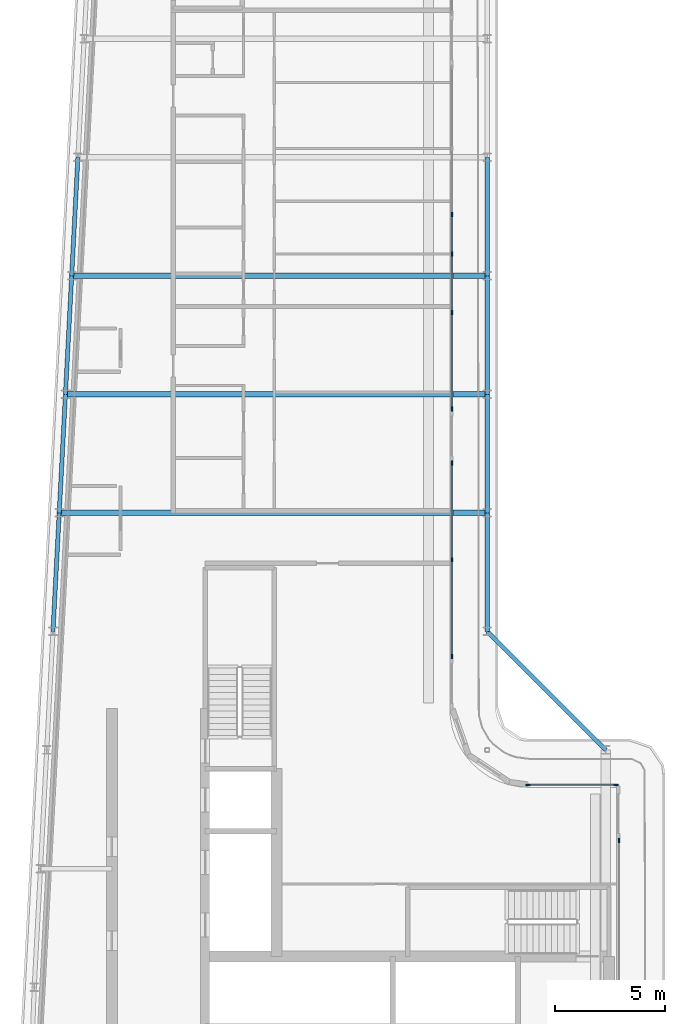
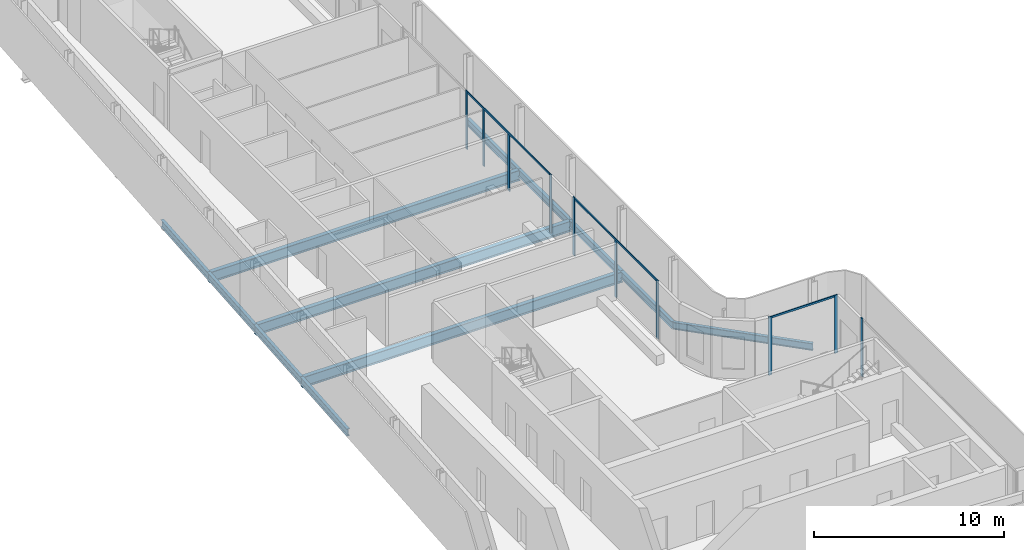
# One storey, part 5 of 19: 13 members, 12 beams, 5 elements without a shape of their own.
"""IFC4 building model written with IfcOpenShell, lengths in metres."""

from ifc_helpers import new_model, si_unit, direction, frame, origin, origin_2d, place, context, subcontext, project, spatial, rectangle, i_section, extrude, material, layer, layer_set, material_profile, profile_set, type_object, element, aggregate, save


model = new_model("IFC4")

# Units and contexts
model_context = context("Model", 3, precision=1e-05, world=origin(), true_north=direction((0.0, 1.0)))
body_context = subcontext(model_context, "Body", "Model", "MODEL_VIEW")
ifc_project = project(units=[si_unit("LENGTHUNIT", "METRE"), si_unit("AREAUNIT", "SQUARE_METRE"), si_unit("VOLUMEUNIT", "CUBIC_METRE"), si_unit("PLANEANGLEUNIT", "RADIAN"), si_unit("MASSUNIT", "GRAM", prefix="KILO")], contexts=[model_context])

# Site, building, storey
site_placement = place(None, origin())
site = spatial("IfcSite", under=ifc_project, at=site_placement, CompositionType="ELEMENT")
building_placement = place(site_placement, origin())
building = spatial("IfcBuilding", under=site, at=building_placement, Name="Kheshtan School and Residences Tower", CompositionType="ELEMENT")
storey_placement = place(building_placement, frame((0.0, 0.0, 353.89990234375)))
storey = spatial("IfcBuildingStorey", under=building, at=storey_placement, Name="L83", CompositionType="ELEMENT", Elevation=353.89990234375)

# Beams
ifc_material_1 = material(Name="Steel ASTM A992 Grade 50", Category="steel")
ifc_material_profile_1 = material_profile(ifc_material_1, i_section(OverallWidth=0.2529296875, OverallDepth=0.677978515625, WebThickness=0.01171875, FlangeThickness=0.016357421875, FilletRadius=0.0146484375, at=origin_2d()), Name="W690x125")
ifc_profile_set_1 = profile_set([ifc_material_profile_1], Name="Steel ASTM A992 Grade 50")
beam_type_1 = type_object("IfcBeamType", Name="Beam FB6 W690x125 ASTM A992 Grade 50", PredefinedType="BEAM", material=ifc_profile_set_1)
beam_1_placement = place(storey_placement, frame((47.60009765625, 67.199951171875, -0.489013671875), z_axis=(-1.0, 0.0, 0.0), x_axis=(0.0, -1.0, 0.0)))
element("IfcBeam", 1, at=beam_1_placement, inside=storey, type_object=beam_type_1, Name="Floor beam C085", PredefinedType="BEAM", context=body_context, shape_type="SweptSolid", body=[
    extrude(i_section(OverallWidth=0.2529296875, OverallDepth=0.677978515625, WebThickness=0.01171875, FlangeThickness=0.016357421875, FilletRadius=0.0146484375, at=origin_2d()), origin(), (0.0, 0.0, 1.0), 18.926025390625),
])
beam_2_placement = place(storey_placement, frame((47.60009765625, 56.39990234375, -0.489013671875), z_axis=(-1.0, 0.0, 0.0), x_axis=(0.0, -1.0, 0.0)))
element("IfcBeam", 2, at=beam_2_placement, inside=storey, type_object=beam_type_1, Name="Floor beam C081", PredefinedType="BEAM", context=body_context, shape_type="SweptSolid", body=[
    extrude(i_section(OverallWidth=0.2529296875, OverallDepth=0.677978515625, WebThickness=0.01171875, FlangeThickness=0.016357421875, FilletRadius=0.0146484375, at=origin_2d()), origin(), (0.0, 0.0, 1.0), 19.494140625),
])
beam_3_placement = place(storey_placement, frame((28.389892578125, 61.800048828125, -0.489013671875), z_axis=(1.0, 0.0, 0.0), x_axis=(0.0, 1.0, 0.0)))
element("IfcBeam", 3, at=beam_3_placement, inside=storey, type_object=beam_type_1, Name="Floor beam C082", PredefinedType="BEAM", context=body_context, shape_type="SweptSolid", body=[
    extrude(i_section(OverallWidth=0.2529296875, OverallDepth=0.677978515625, WebThickness=0.01171875, FlangeThickness=0.016357421875, FilletRadius=0.0146484375, at=origin_2d()), origin(), (0.0, 0.0, 1.0), 19.210205078125),
])
ifc_material_profile_2 = material_profile(ifc_material_1, i_section(OverallWidth=0.18994140625, OverallDepth=0.45703125, WebThickness=0.009033203125, FlangeThickness=0.014404296875, FilletRadius=0.01318359375, at=origin_2d()), Name="W460x74")
ifc_profile_set_2 = profile_set([ifc_material_profile_2], Name="Steel ASTM A992 Grade 50")
beam_type_2 = type_object("IfcBeamType", Name="Beam SP4 W460x74 ASTM A992 Grade 50", PredefinedType="BEAM", material=ifc_profile_set_2)
beam_4_placement = place(storey_placement, frame((47.60009765625, 72.60009765625, -0.37841796875), z_axis=(0.0, -1.0, 0.0), x_axis=(1.0, 0.0, 0.0)))
element("IfcBeam", 4, at=beam_4_placement, inside=storey, type_object=beam_type_2, Name="Spandrel beam C087-C085", PredefinedType="BEAM", context=body_context, shape_type="SweptSolid", body=[
    extrude(i_section(OverallWidth=0.18994140625, OverallDepth=0.45703125, WebThickness=0.009033203125, FlangeThickness=0.014404296875, FilletRadius=0.01318359375, at=origin_2d()), origin(), (0.0, 0.0, 1.0), 5.400146484375),
])
beam_5_placement = place(storey_placement, frame((47.60009765625, 67.199951171875, -0.37841796875), z_axis=(0.0, -1.0, 0.0), x_axis=(1.0, 0.0, 0.0)))
element("IfcBeam", 5, at=beam_5_placement, inside=storey, type_object=beam_type_2, Name="Spandrel beam C085-C083", PredefinedType="BEAM", context=body_context, shape_type="SweptSolid", body=[
    extrude(i_section(OverallWidth=0.18994140625, OverallDepth=0.45703125, WebThickness=0.009033203125, FlangeThickness=0.014404296875, FilletRadius=0.01318359375, at=origin_2d()), origin(), (0.0, 0.0, 1.0), 5.39990234375),
])
beam_6_placement = place(storey_placement, frame((47.60009765625, 61.800048828125, -0.37841796875), z_axis=(0.0, -1.0, 0.0), x_axis=(1.0, 0.0, 0.0)))
element("IfcBeam", 6, at=beam_6_placement, inside=storey, type_object=beam_type_2, Name="Spandrel beam C083-C081", PredefinedType="BEAM", context=body_context, shape_type="SweptSolid", body=[
    extrude(i_section(OverallWidth=0.18994140625, OverallDepth=0.45703125, WebThickness=0.009033203125, FlangeThickness=0.014404296875, FilletRadius=0.01318359375, at=origin_2d()), origin(), (0.0, 0.0, 1.0), 5.400146484375),
])
beam_7_placement = place(storey_placement, frame((47.60009765625, 56.39990234375, -0.37841796875), z_axis=(0.0, -1.0, 0.0), x_axis=(1.0, 0.0, 0.0)))
element("IfcBeam", 7, at=beam_7_placement, inside=storey, type_object=beam_type_2, Name="Spandrel beam C081-C079", PredefinedType="BEAM", context=body_context, shape_type="SweptSolid", body=[
    extrude(i_section(OverallWidth=0.18994140625, OverallDepth=0.45703125, WebThickness=0.009033203125, FlangeThickness=0.014404296875, FilletRadius=0.01318359375, at=origin_2d()), origin(), (0.0, 0.0, 1.0), 5.39990234375),
])
beam_8_placement = place(storey_placement, frame((47.60009765625, 51.0, -0.37841796875), z_axis=(0.707106781187, -0.707106781187, 0.0), x_axis=(0.707106781187, 0.707106781187, 0.0)))
element("IfcBeam", 8, at=beam_8_placement, inside=storey, type_object=beam_type_2, Name="Spandrel beam C079-C061", PredefinedType="BEAM", context=body_context, shape_type="SweptSolid", body=[
    extrude(i_section(OverallWidth=0.18994140625, OverallDepth=0.45703125, WebThickness=0.009033203125, FlangeThickness=0.014404296875, FilletRadius=0.01318359375, at=origin_2d()), origin(), (0.0, 0.0, 1.0), 7.63671875),
])
beam_9_placement = place(storey_placement, frame((27.822021484375, 51.0, -0.37841796875), z_axis=(0.05250906864, 0.998620447272, 0.0), x_axis=(-0.998620447272, 0.05250906864, 0.0)))
element("IfcBeam", 9, at=beam_9_placement, inside=storey, type_object=beam_type_2, Name="Spandrel beam C078-C080", PredefinedType="BEAM", context=body_context, shape_type="SweptSolid", body=[
    extrude(i_section(OverallWidth=0.18994140625, OverallDepth=0.45703125, WebThickness=0.009033203125, FlangeThickness=0.014404296875, FilletRadius=0.01318359375, at=origin_2d()), origin(), (0.0, 0.0, 1.0), 5.407470703125),
])
beam_10_placement = place(storey_placement, frame((28.10595703125, 56.39990234375, -0.37841796875), z_axis=(0.05250670125, 0.998620571751, 0.0), x_axis=(-0.998620571751, 0.05250670125, 0.0)))
element("IfcBeam", 10, at=beam_10_placement, inside=storey, type_object=beam_type_2, Name="Spandrel beam C080-C082", PredefinedType="BEAM", context=body_context, shape_type="SweptSolid", body=[
    extrude(i_section(OverallWidth=0.18994140625, OverallDepth=0.45703125, WebThickness=0.009033203125, FlangeThickness=0.014404296875, FilletRadius=0.01318359375, at=origin_2d()), origin(), (0.0, 0.0, 1.0), 5.40771484375),
])
beam_11_placement = place(storey_placement, frame((28.389892578125, 61.800048828125, -0.37841796875), z_axis=(0.052554093665, 0.998618078766, 0.0), x_axis=(-0.998618078766, 0.052554093665, 0.0)))
element("IfcBeam", 11, at=beam_11_placement, inside=storey, type_object=beam_type_2, Name="Spandrel beam C082-C084", PredefinedType="BEAM", context=body_context, shape_type="SweptSolid", body=[
    extrude(i_section(OverallWidth=0.18994140625, OverallDepth=0.45703125, WebThickness=0.009033203125, FlangeThickness=0.014404296875, FilletRadius=0.01318359375, at=origin_2d()), origin(), (0.0, 0.0, 1.0), 5.407470703125),
])
beam_12_placement = place(storey_placement, frame((28.674072265625, 67.199951171875, -0.37841796875), z_axis=(0.05250670125, 0.998620571751, 0.0), x_axis=(-0.998620571751, 0.05250670125, 0.0)))
element("IfcBeam", 12, at=beam_12_placement, inside=storey, type_object=beam_type_2, Name="Spandrel beam C084-C086", PredefinedType="BEAM", context=body_context, shape_type="SweptSolid", body=[
    extrude(i_section(OverallWidth=0.18994140625, OverallDepth=0.45703125, WebThickness=0.009033203125, FlangeThickness=0.014404296875, FilletRadius=0.01318359375, at=origin_2d()), origin(), (0.0, 0.0, 1.0), 5.40771484375),
])

# Curtain wall, members
ifc_material_2 = material(Name="Clear low-e glass in thermally broken aluminium frame", Category="aluminium")
ifc_layer_1 = layer(ifc_material_2, 0.199951171875)
ifc_layer_set_1 = layer_set([ifc_layer_1], Name="Curtain wall CW-B")
curtain_wall_type_1 = type_object("IfcCurtainWallType", Name="Curtain wall CW-B", PredefinedType="NOTDEFINED", material=ifc_layer_set_1)
curtain_wall_1_placement = place(storey_placement, origin())
curtain_wall_1 = element("IfcCurtainWall", 13, at=curtain_wall_1_placement, inside=storey, type_object=curtain_wall_type_1, Name="Curtain wall CWB8", PredefinedType="NOTDEFINED")
ifc_material_3 = material(Name="Thermally broken aluminium, dark bronze anodised", Category="aluminium")
ifc_material_profile_3 = material_profile(ifc_material_3, rectangle(XDim=0.06005859375, YDim=0.199951171875, at=origin_2d()), Name="CW-B mullion 60x200")
ifc_profile_set_3 = profile_set([ifc_material_profile_3], Name="Thermally broken aluminium, dark bronze anodised")
member_type_1 = type_object("IfcMemberType", Name="CW-B mullion 60x200", PredefinedType="MULLION", material=ifc_profile_set_3)
member_1_placement = place(storey_placement, frame((49.4599609375, 44.0, 0.0), z_axis=(0.0, 0.0, 1.0), x_axis=(0.0, 1.0, 0.0)))
member_1 = element("IfcMember", 14, at=member_1_placement, type_object=member_type_1, Name="CWB8 mullion 1", PredefinedType="MULLION", context=body_context, shape_type="SweptSolid", body=[
    extrude(rectangle(XDim=0.06005859375, YDim=0.199951171875, at=origin_2d()), origin(), (0.0, 0.0, 1.0), 3.75),
])
member_2_placement = place(storey_placement, frame((53.469970703125, 44.0, 0.0), z_axis=(0.0, 0.0, 1.0), x_axis=(0.0, 1.0, 0.0)))
member_2 = element("IfcMember", 15, at=member_2_placement, type_object=member_type_1, Name="CWB8 mullion 2", PredefinedType="MULLION", context=body_context, shape_type="SweptSolid", body=[
    extrude(rectangle(XDim=0.06005859375, YDim=0.199951171875, at=origin_2d()), origin(), (0.0, 0.0, 1.0), 3.75),
])
ifc_material_profile_4 = material_profile(ifc_material_3, rectangle(XDim=0.06005859375, YDim=0.1201171875, at=origin_2d()), Name="CW-B transom 60x120")
ifc_profile_set_4 = profile_set([ifc_material_profile_4], Name="Thermally broken aluminium, dark bronze anodised")
member_type_2 = type_object("IfcMemberType", Name="CW-B transom 60x120", PredefinedType="USERDEFINED", material=ifc_profile_set_4)
member_3_placement = place(storey_placement, frame((49.489990234375, 44.0, 3.690185546875), z_axis=(1.0, 0.0, 0.0), x_axis=(0.0, 1.0, 0.0)))
member_3 = element("IfcMember", 16, at=member_3_placement, type_object=member_type_2, Name="CWB8 transom 1", ObjectType="TRANSOM", PredefinedType="USERDEFINED", context=body_context, shape_type="SweptSolid", body=[
    extrude(rectangle(XDim=0.06005859375, YDim=0.1201171875, at=origin_2d()), origin(), (0.0, 0.0, 1.0), 3.949951171875),
])
aggregate(curtain_wall_1, [member_1, member_2, member_3])

# Curtain wall, member
ifc_layer_2 = layer(ifc_material_2, 0.199951171875)
ifc_layer_set_2 = layer_set([ifc_layer_2], Name="Curtain wall CW-L")
curtain_wall_type_2 = type_object("IfcCurtainWallType", Name="Curtain wall CW-L", PredefinedType="NOTDEFINED", material=ifc_layer_set_2)
curtain_wall_2_placement = place(storey_placement, origin())
curtain_wall_2 = element("IfcCurtainWall", 17, at=curtain_wall_2_placement, inside=storey, type_object=curtain_wall_type_2, Name="Curtain wall CWL4l", PredefinedType="NOTDEFINED")
ifc_material_profile_5 = material_profile(ifc_material_3, rectangle(XDim=0.06005859375, YDim=0.199951171875, at=origin_2d()), Name="CW-L mullion 60x200")
ifc_profile_set_5 = profile_set([ifc_material_profile_5], Name="Thermally broken aluminium, dark bronze anodised")
member_type_3 = type_object("IfcMemberType", Name="CW-L mullion 60x200", PredefinedType="MULLION", material=ifc_profile_set_5)
member_4_placement = place(storey_placement, frame((46.0, 69.9951171875, 0.0), z_axis=(0.0, 0.0, 1.0), x_axis=(1.0, 0.0, 0.0)))
member_4 = element("IfcMember", 18, at=member_4_placement, type_object=member_type_3, Name="CWL4l mullion 3", PredefinedType="MULLION", context=body_context, shape_type="SweptSolid", body=[
    extrude(rectangle(XDim=0.06005859375, YDim=0.199951171875, at=origin_2d()), origin(), (0.0, 0.0, 1.0), 3.75),
])
aggregate(curtain_wall_2, [member_4])

# Curtain wall, members
curtain_wall_3_placement = place(storey_placement, origin())
curtain_wall_3 = element("IfcCurtainWall", 19, at=curtain_wall_3_placement, inside=storey, type_object=curtain_wall_type_2, Name="Curtain wall CWL4n", PredefinedType="NOTDEFINED")
member_5_placement = place(storey_placement, frame((46.0, 68.199951171875, 0.0), z_axis=(0.0, 0.0, 1.0), x_axis=(1.0, 0.0, 0.0)))
member_5 = element("IfcMember", 20, at=member_5_placement, type_object=member_type_3, Name="CWL4n mullion 2", PredefinedType="MULLION", context=body_context, shape_type="SweptSolid", body=[
    extrude(rectangle(XDim=0.06005859375, YDim=0.199951171875, at=origin_2d()), origin(), (0.0, 0.0, 1.0), 3.630126953125),
])
member_6_placement = place(storey_placement, frame((46.0, 65.53125, 0.0), z_axis=(0.0, 0.0, 1.0), x_axis=(1.0, 0.0, 0.0)))
member_6 = element("IfcMember", 21, at=member_6_placement, type_object=member_type_3, Name="CWL4n mullion 3", PredefinedType="MULLION", context=body_context, shape_type="SweptSolid", body=[
    extrude(rectangle(XDim=0.06005859375, YDim=0.199951171875, at=origin_2d()), origin(), (0.0, 0.0, 1.0), 3.630126953125),
])
member_7_placement = place(storey_placement, frame((46.0, 61.12744140625, 0.0), z_axis=(0.0, 0.0, 1.0), x_axis=(1.0, 0.0, 0.0)))
member_7 = element("IfcMember", 22, at=member_7_placement, type_object=member_type_3, Name="CWL4n mullion 4", PredefinedType="MULLION", context=body_context, shape_type="SweptSolid", body=[
    extrude(rectangle(XDim=0.06005859375, YDim=0.199951171875, at=origin_2d()), origin(), (0.0, 0.0, 1.0), 3.75),
])

curtain_wall_4_placement = place(storey_placement, origin())
curtain_wall_4 = element("IfcCurtainWall", 23, at=curtain_wall_4_placement, inside=storey, type_object=curtain_wall_type_2, Name="Curtain wall CWL4b", PredefinedType="NOTDEFINED")
member_8_placement = place(storey_placement, frame((46.0, 58.66748046875, 0.0), z_axis=(0.0, 0.0, 1.0), x_axis=(1.0, 0.0, 0.0)))
member_8 = element("IfcMember", 24, at=member_8_placement, type_object=member_type_3, Name="CWL4b mullion 1", PredefinedType="MULLION", context=body_context, shape_type="SweptSolid", body=[
    extrude(rectangle(XDim=0.06005859375, YDim=0.199951171875, at=origin_2d()), origin(), (0.0, 0.0, 1.0), 3.75),
])
member_9_placement = place(storey_placement, frame((46.0, 54.263671875, 0.0), z_axis=(0.0, 0.0, 1.0), x_axis=(1.0, 0.0, 0.0)))
member_9 = element("IfcMember", 25, at=member_9_placement, type_object=member_type_3, Name="CWL4b mullion 2", PredefinedType="MULLION", context=body_context, shape_type="SweptSolid", body=[
    extrude(rectangle(XDim=0.06005859375, YDim=0.199951171875, at=origin_2d()), origin(), (0.0, 0.0, 1.0), 3.630126953125),
])
member_10_placement = place(storey_placement, frame((46.0, 49.860107421875, 0.0), z_axis=(0.0, 0.0, 1.0), x_axis=(1.0, 0.0, 0.0)))
member_10 = element("IfcMember", 26, at=member_10_placement, type_object=member_type_3, Name="CWL4b mullion 3", PredefinedType="MULLION", context=body_context, shape_type="SweptSolid", body=[
    extrude(rectangle(XDim=0.06005859375, YDim=0.199951171875, at=origin_2d()), origin(), (0.0, 0.0, 1.0), 3.75),
])

# Curtain wall, member
curtain_wall_5_placement = place(storey_placement, origin())
curtain_wall_5 = element("IfcCurtainWall", 27, at=curtain_wall_5_placement, inside=storey, type_object=curtain_wall_type_2, Name="Curtain wall CWL9e", PredefinedType="NOTDEFINED")
member_11_placement = place(storey_placement, frame((53.60009765625, 41.469970703125, 0.0), z_axis=(0.0, 0.0, 1.0), x_axis=(1.0, 0.0, 0.0)))
member_11 = element("IfcMember", 28, at=member_11_placement, type_object=member_type_3, Name="CWL9e mullion 1", PredefinedType="MULLION", context=body_context, shape_type="SweptSolid", body=[
    extrude(rectangle(XDim=0.06005859375, YDim=0.199951171875, at=origin_2d()), origin(), (0.0, 0.0, 1.0), 3.75),
])
aggregate(curtain_wall_5, [member_11])

# Member
ifc_material_profile_6 = material_profile(ifc_material_3, rectangle(XDim=0.06005859375, YDim=0.1201171875, at=origin_2d()), Name="CW-L transom 60x120")
ifc_profile_set_6 = profile_set([ifc_material_profile_6], Name="Thermally broken aluminium, dark bronze anodised")
member_type_4 = type_object("IfcMemberType", Name="CW-L transom 60x120", PredefinedType="USERDEFINED", material=ifc_profile_set_6)
member_12_placement = place(storey_placement, frame((46.0, 69.965087890625, 3.690185546875), z_axis=(0.0, -1.0, 0.0), x_axis=(1.0, 0.0, 0.0)))
member_12 = element("IfcMember", 29, at=member_12_placement, type_object=member_type_4, Name="CWL4n transom 1", ObjectType="TRANSOM", PredefinedType="USERDEFINED", context=body_context, shape_type="SweptSolid", body=[
    extrude(rectangle(XDim=0.06005859375, YDim=0.1201171875, at=origin_2d()), origin(), (0.0, 0.0, 1.0), 8.8076171875),
])

aggregate(curtain_wall_3, [member_5, member_6, member_7, member_12])

member_13_placement = place(storey_placement, frame((46.0, 58.637451171875, 3.690185546875), z_axis=(0.0, -1.0, 0.0), x_axis=(1.0, 0.0, 0.0)))
member_13 = element("IfcMember", 30, at=member_13_placement, type_object=member_type_4, Name="CWL4b transom 1", ObjectType="TRANSOM", PredefinedType="USERDEFINED", context=body_context, shape_type="SweptSolid", body=[
    extrude(rectangle(XDim=0.06005859375, YDim=0.1201171875, at=origin_2d()), origin(), (0.0, 0.0, 1.0), 8.74755859375),
])

aggregate(curtain_wall_4, [member_8, member_9, member_10, member_13])

save(model, "model.ifc")
